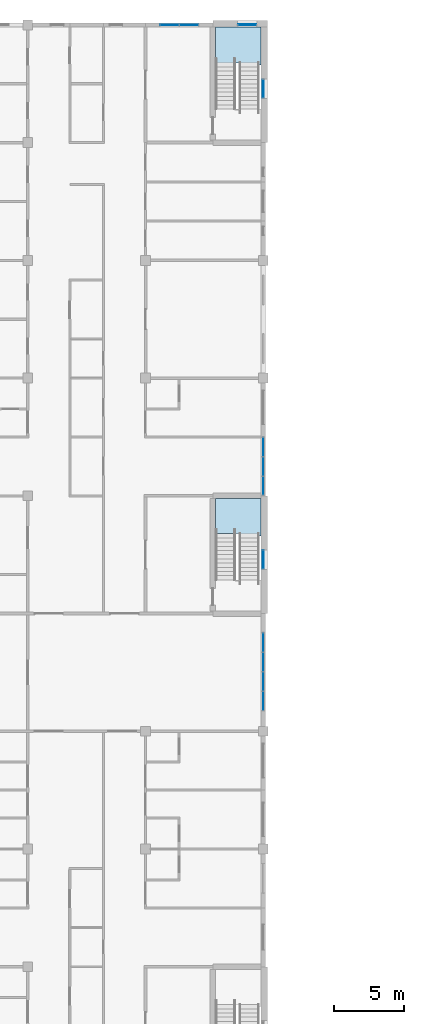
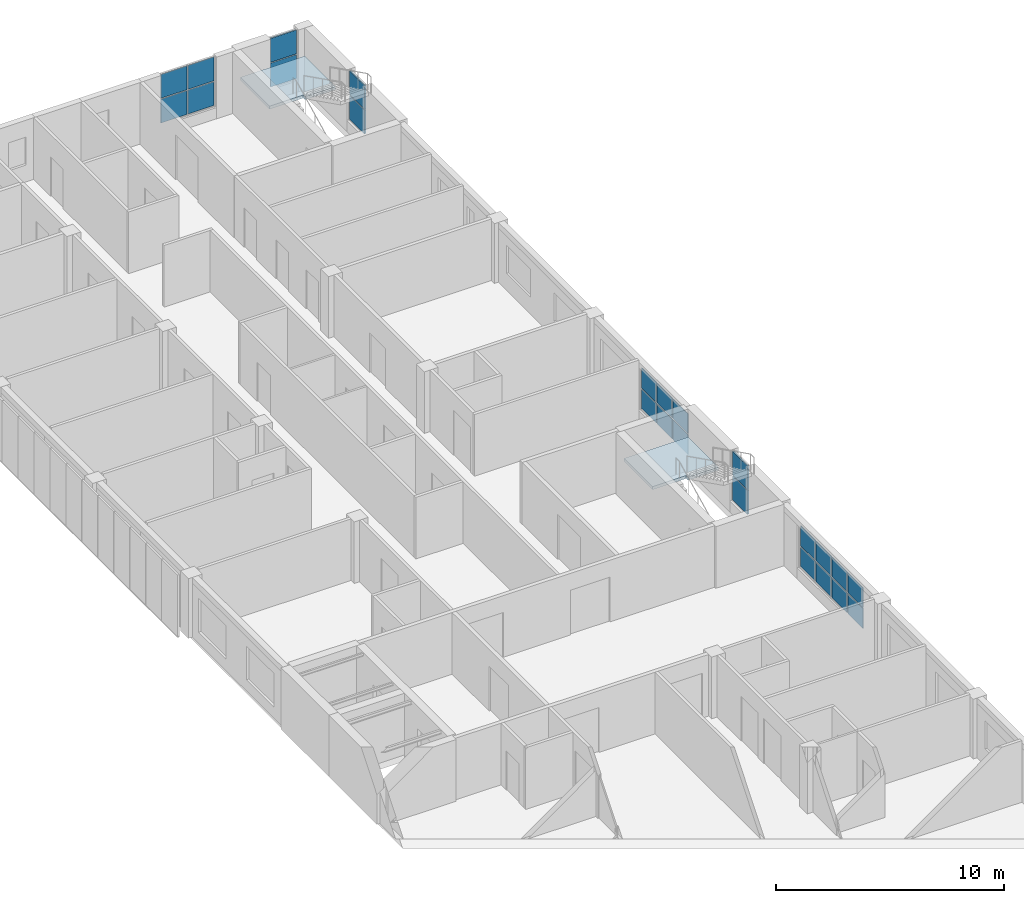
# One storey, part 24 of 48: 24 plates, 2 slabs, 8 elements without a shape of their own.
"""IFC4 building model written with IfcOpenShell, lengths in metres."""

import ifcopenshell
import ifcopenshell.guid

model = None  # the IFC model being written
_history = None  # IfcOwnerHistory: only IFC2X3 demands one
_inside = {}  # id of a spatial element -> (the spatial element, [elements in it])
_under = {}  # id of a project, library or spatial element -> (it, [spatial elements below it])
_declared = {}  # id of a project -> (the project, [libraries it declares])
_typed = {}  # id of a type object -> (the type object, [elements of that type])
_made_of = {}  # id of a material, layer set ... -> (it, [elements and type objects made of it])


def new_model(schema):
    """Start an empty IFC model of exactly this schema.

    Asked for "IFC4X3", IfcOpenShell would pick the latest addendum, in which some entities
    have other attributes; the version numbers below select the first issue.
    IFC2X3 requires an IfcOwnerHistory on every rooted entity: one is made here for all.
    """
    global model, _history
    if schema == "IFC4X3":
        model = ifcopenshell.file(schema_version=(4, 3, 0, 0))
    else:
        model = ifcopenshell.file(schema=schema)
    _inside.clear()
    _under.clear()
    _declared.clear()
    _typed.clear()
    _made_of.clear()
    _history = None
    if model.schema == "IFC2X3":
        org = make("IfcOrganization", Name="unknown")
        user = make(
            "IfcPersonAndOrganization",
            ThePerson=make("IfcPerson", FamilyName="unknown"),
            TheOrganization=org,
        )
        app = make(
            "IfcApplication",
            ApplicationDeveloper=org,
            Version="unknown",
            ApplicationFullName="unknown",
            ApplicationIdentifier="unknown",
        )
        _history = make(
            "IfcOwnerHistory",
            OwningUser=user,
            OwningApplication=app,
            ChangeAction="ADDED",
            CreationDate=0,
        )
    return model


def make(cls, **values):
    """One entity of the class cls with the attributes given. An attribute that is None is left unset."""
    return model.create_entity(
        cls, **{name: value for name, value in values.items() if value is not None}
    )


def rooted(cls, **values):
    """An entity with a GlobalId (a new one), such as an element, a storey or a relation."""
    return make(cls, GlobalId=ifcopenshell.guid.new(), OwnerHistory=_history, **values)


def si_unit(unit_type, name, prefix=None):
    """IfcSIUnit, for example si_unit("LENGTHUNIT", "METRE", prefix="MILLI")."""
    return make("IfcSIUnit", UnitType=unit_type, Prefix=prefix, Name=name)


def assignment(units):
    """IfcUnitAssignment: the units of a project."""
    return None if units is None else make("IfcUnitAssignment", Units=units)


def point(xyz):
    """IfcCartesianPoint."""
    return None if xyz is None else make("IfcCartesianPoint", Coordinates=xyz)


def direction(xyz):
    """IfcDirection."""
    return None if xyz is None else make("IfcDirection", DirectionRatios=xyz)


def frame(location, z_axis=None, x_axis=None):
    """IfcAxis2Placement3D, a coordinate frame: its origin and axes. An axis left out is left unset."""
    return make(
        "IfcAxis2Placement3D",
        Location=point(location),
        Axis=direction(z_axis),
        RefDirection=direction(x_axis),
    )


def frame_2d(location, x_axis=None):
    """IfcAxis2Placement2D, a coordinate frame in the plane: its origin and x axis."""
    return make(
        "IfcAxis2Placement2D", Location=point(location), RefDirection=direction(x_axis)
    )


def origin():
    """The frame at (0, 0, 0) with its axes left unset."""
    return frame((0.0, 0.0, 0.0))


def origin_2d():
    """The frame at (0, 0) in the plane with its x axis left unset."""
    return frame_2d((0.0, 0.0))


def place(relative_to, where):
    """IfcLocalPlacement: puts the frame where relative to a parent placement (None: the world)."""
    return make(
        "IfcLocalPlacement", PlacementRelTo=relative_to, RelativePlacement=where
    )


def context(
    kind, dimensions, precision=None, world=None, true_north=None, identifier=None
):
    """IfcGeometricRepresentationContext, for example the 3D "Model" context."""
    return make(
        "IfcGeometricRepresentationContext",
        ContextIdentifier=identifier,
        ContextType=kind,
        CoordinateSpaceDimension=dimensions,
        Precision=precision,
        WorldCoordinateSystem=world,
        TrueNorth=true_north,
    )


def subcontext(parent, identifier, kind, view, scale=None):
    """IfcGeometricRepresentationSubContext, for example "Body" below "Model"."""
    return make(
        "IfcGeometricRepresentationSubContext",
        ContextIdentifier=identifier,
        ContextType=kind,
        ParentContext=parent,
        TargetScale=scale,
        TargetView=view,
    )


def project(units=None, contexts=None):
    """IfcProject with its units and contexts."""
    return rooted(
        "IfcProject",
        Name="project",
        RepresentationContexts=contexts,
        UnitsInContext=assignment(units),
    )


def spatial(cls, under=None, at=None, **own):
    """A site, building, storey or space (cls), placed at a placement, below another one or the project."""
    s = rooted(cls, ObjectPlacement=at, **own)
    if under is not None:
        _under.setdefault(under.id(), (under, []))[1].append(s)
    return s


def polyline(points):
    """IfcPolyline through the points."""
    return make("IfcPolyline", Points=[point(p) for p in points])


def profile(cls, at=None, kind="AREA", **sizes):
    """A parametric profile (cls). Its sizes go by their IFC names, for example OverallWidth=200.0."""
    return make(cls, ProfileType=kind, Position=at, **sizes)


def rectangle(**sizes):
    """IfcRectangleProfileDef."""
    return profile("IfcRectangleProfileDef", **sizes)


def outline(outer, holes=None, kind="AREA"):
    """IfcArbitraryClosedProfileDef: a profile drawn as a closed curve; with holes, ...WithVoids."""
    if holes is None:
        return make("IfcArbitraryClosedProfileDef", ProfileType=kind, OuterCurve=outer)
    return make(
        "IfcArbitraryProfileDefWithVoids",
        ProfileType=kind,
        OuterCurve=outer,
        InnerCurves=holes,
    )


def extrude(swept, where, along, depth):
    """IfcExtrudedAreaSolid: the profile swept, set in the frame where, extruded along a direction by depth."""
    return make(
        "IfcExtrudedAreaSolid",
        SweptArea=swept,
        Position=where,
        ExtrudedDirection=direction(along),
        Depth=depth,
    )


def shape(context_of_items, identifier, shape_type, items):
    """IfcShapeRepresentation: the items that make up one representation, for example the "Body"."""
    return make(
        "IfcShapeRepresentation",
        ContextOfItems=context_of_items,
        RepresentationIdentifier=identifier,
        RepresentationType=shape_type,
        Items=items,
    )


def material(Name=None, Category=None):
    """IfcMaterial."""
    return make("IfcMaterial", Name=Name, Category=Category)


def layer(
    of_material, thickness, ventilated=None, Name=None, Category=None, Priority=None
):
    """IfcMaterialLayer: one layer of a wall or slab, of a material (None: an air gap)."""
    return make(
        "IfcMaterialLayer",
        Material=of_material,
        LayerThickness=thickness,
        IsVentilated=ventilated,
        Name=Name,
        Category=Category,
        Priority=Priority,
    )


def layer_set(layers, Name=None):
    """IfcMaterialLayerSet."""
    return make("IfcMaterialLayerSet", MaterialLayers=layers, LayerSetName=Name)


def made_of(thing, what):
    """Note that an element or type object is made of a material, layer set ...; save() writes the relation."""
    if what is not None:
        _made_of.setdefault(what.id(), (what, []))[1].append(thing)
    return thing


def type_object(cls, material=None, **own):
    """A type object (cls), such as IfcWallType, which elements share."""
    return made_of(rooted(cls, **own), material)


def element(
    cls,
    number,
    at=None,
    inside=None,
    cuts=None,
    type_object=None,
    material=None,
    context=None,
    identifier="Body",
    shape_type=None,
    held_by="IfcProductDefinitionShape",
    body=None,
    shapes=None,
    **own,
):
    """One element of the class cls, such as IfcWall. Its Tag is "e" and its number.

    at: its placement. inside: the storey or other place that contains it. cuts: it is an
    opening in that element (IfcRelVoidsElement). A single representation is given by context,
    identifier, shape_type and body (its items); several are given by shapes. held_by: the class
    of the entity that holds the representations. save() writes the other relations.
    """
    e = rooted(cls, Tag="e%d" % number, ObjectPlacement=at, **own)
    if body is not None:
        shapes = [shape(context, identifier, shape_type, body)]
    if shapes is not None:
        e.Representation = make(held_by, Representations=shapes)
    if inside is not None:
        _inside.setdefault(inside.id(), (inside, []))[1].append(e)
    if cuts is not None:
        rooted(
            "IfcRelVoidsElement", RelatingBuildingElement=cuts, RelatedOpeningElement=e
        )
    if type_object is not None:
        _typed.setdefault(type_object.id(), (type_object, []))[1].append(e)
    return made_of(e, material)


def aggregate(whole, parts):
    """IfcRelAggregates: a whole, such as a stair, and the parts it consists of."""
    return rooted("IfcRelAggregates", RelatingObject=whole, RelatedObjects=parts)


def save(model, path):
    """Write the relations noted so far, then the file.

    IfcRelAggregates (storeys below a building ...), IfcRelContainedInSpatialStructure (elements
    in a storey), IfcRelDefinesByType, IfcRelAssociatesMaterial and IfcRelDeclares: one each for
    every whole, place, type object, material and project.
    """
    for whole, parts in _under.values():
        aggregate(whole, parts)
    for where, things in _inside.values():
        rooted(
            "IfcRelContainedInSpatialStructure",
            RelatedElements=things,
            RelatingStructure=where,
        )
    for kind, things in _typed.values():
        rooted("IfcRelDefinesByType", RelatedObjects=things, RelatingType=kind)
    for what, things in _made_of.values():
        rooted("IfcRelAssociatesMaterial", RelatedObjects=things, RelatingMaterial=what)
    for by, libraries in _declared.values():
        rooted("IfcRelDeclares", RelatingContext=by, RelatedDefinitions=libraries)
    model.write(path)


model = new_model("IFC4")

# Units and contexts
model_context = context("Model", 3, precision=1e-05, world=origin(), true_north=direction((0.0, 1.0)))
body_context = subcontext(model_context, "Body", "Model", "MODEL_VIEW")
ifc_project = project(units=[si_unit("LENGTHUNIT", "METRE"), si_unit("AREAUNIT", "SQUARE_METRE"), si_unit("VOLUMEUNIT", "CUBIC_METRE"), si_unit("PLANEANGLEUNIT", "RADIAN"), si_unit("MASSUNIT", "GRAM", prefix="KILO")], contexts=[model_context])

# Site, building, storey
site_placement = place(None, origin())
site = spatial("IfcSite", under=ifc_project, at=site_placement, CompositionType="ELEMENT")
building_placement = place(site_placement, origin())
building = spatial("IfcBuilding", under=site, at=building_placement, Name="Yavir Park General Hospital", CompositionType="ELEMENT")
storey_placement = place(building_placement, frame((0.0, 0.0, 26.10009765625)))
storey = spatial("IfcBuildingStorey", under=building, at=storey_placement, Name="L06", CompositionType="ELEMENT", Elevation=26.10009765625)

# Curtain wall, plates
ifc_material_1 = material(Name="Aluminium curtain wall frame with insulated glazing", Category="aluminium")
curtain_wall_type_1 = type_object("IfcCurtainWallType", Name="Day room pocket glazing, ward floors, 2300 high, 1400 module", PredefinedType="NOTDEFINED", material=ifc_material_1)
curtain_wall_1_placement = place(storey_placement, origin())
curtain_wall_1 = element("IfcCurtainWall", 1, at=curtain_wall_1_placement, inside=storey, type_object=curtain_wall_type_1, Name="CW63 L06-023", PredefinedType="NOTDEFINED")
ifc_material_2 = material(Name="Insulated glazed unit 30 mm, low-e coating")
ifc_layer_1 = layer(ifc_material_2, 0.030029296875)
ifc_layer_set_1 = layer_set([ifc_layer_1], Name="Insulated glazed unit 30 mm, low-e coating")
plate_type_1 = type_object("IfcPlateType", Name="Day room pocket glazing, ward floors, 2300 high panel 30", PredefinedType="CURTAIN_PANEL", material=ifc_layer_set_1)
plate_1_placement = place(storey_placement, frame((25.199951171875, 69.364990234375, 0.659912109375), z_axis=(0.0, 0.0, 1.0), x_axis=(0.0, 1.0, 0.0)))
plate_1 = element("IfcPlate", 2, at=plate_1_placement, type_object=plate_type_1, Name="CW63 panel 1.1", PredefinedType="CURTAIN_PANEL", context=body_context, shape_type="SweptSolid", body=[
    extrude(rectangle(XDim=1.31005859375, YDim=0.030029296875, at=origin_2d()), origin(), (0.0, 0.0, 1.0), 1.06005859375),
])
plate_2_placement = place(storey_placement, frame((25.199951171875, 69.364990234375, 1.77978515625), z_axis=(0.0, 0.0, 1.0), x_axis=(0.0, 1.0, 0.0)))
plate_2 = element("IfcPlate", 3, at=plate_2_placement, type_object=plate_type_1, Name="CW63 panel 1.2", PredefinedType="CURTAIN_PANEL", context=body_context, shape_type="SweptSolid", body=[
    extrude(rectangle(XDim=1.31005859375, YDim=0.030029296875, at=origin_2d()), origin(), (0.0, 0.0, 1.0), 1.06005859375),
])
plate_3_placement = place(storey_placement, frame((25.199951171875, 70.75, 0.659912109375), z_axis=(0.0, 0.0, 1.0), x_axis=(0.0, 1.0, 0.0)))
plate_3 = element("IfcPlate", 4, at=plate_3_placement, type_object=plate_type_1, Name="CW63 panel 2.1", PredefinedType="CURTAIN_PANEL", context=body_context, shape_type="SweptSolid", body=[
    extrude(rectangle(XDim=1.340087890625, YDim=0.030029296875, at=origin_2d()), origin(), (0.0, 0.0, 1.0), 1.06005859375),
])
plate_4_placement = place(storey_placement, frame((25.199951171875, 70.75, 1.77978515625), z_axis=(0.0, 0.0, 1.0), x_axis=(0.0, 1.0, 0.0)))
plate_4 = element("IfcPlate", 5, at=plate_4_placement, type_object=plate_type_1, Name="CW63 panel 2.2", PredefinedType="CURTAIN_PANEL", context=body_context, shape_type="SweptSolid", body=[
    extrude(rectangle(XDim=1.340087890625, YDim=0.030029296875, at=origin_2d()), origin(), (0.0, 0.0, 1.0), 1.06005859375),
])
plate_5_placement = place(storey_placement, frame((25.199951171875, 72.14990234375, 0.659912109375), z_axis=(0.0, 0.0, 1.0), x_axis=(0.0, 1.0, 0.0)))
plate_5 = element("IfcPlate", 6, at=plate_5_placement, type_object=plate_type_1, Name="CW63 panel 3.1", PredefinedType="CURTAIN_PANEL", context=body_context, shape_type="SweptSolid", body=[
    extrude(rectangle(XDim=1.340087890625, YDim=0.030029296875, at=origin_2d()), origin(), (0.0, 0.0, 1.0), 1.06005859375),
])
plate_6_placement = place(storey_placement, frame((25.199951171875, 72.14990234375, 1.77978515625), z_axis=(0.0, 0.0, 1.0), x_axis=(0.0, 1.0, 0.0)))
plate_6 = element("IfcPlate", 7, at=plate_6_placement, type_object=plate_type_1, Name="CW63 panel 3.2", PredefinedType="CURTAIN_PANEL", context=body_context, shape_type="SweptSolid", body=[
    extrude(rectangle(XDim=1.340087890625, YDim=0.030029296875, at=origin_2d()), origin(), (0.0, 0.0, 1.0), 1.06005859375),
])
plate_7_placement = place(storey_placement, frame((25.199951171875, 73.534912109375, 0.659912109375), z_axis=(0.0, 0.0, 1.0), x_axis=(0.0, 1.0, 0.0)))
plate_7 = element("IfcPlate", 8, at=plate_7_placement, type_object=plate_type_1, Name="CW63 panel 4.1", PredefinedType="CURTAIN_PANEL", context=body_context, shape_type="SweptSolid", body=[
    extrude(rectangle(XDim=1.31005859375, YDim=0.030029296875, at=origin_2d()), origin(), (0.0, 0.0, 1.0), 1.06005859375),
])
plate_8_placement = place(storey_placement, frame((25.199951171875, 73.534912109375, 1.77978515625), z_axis=(0.0, 0.0, 1.0), x_axis=(0.0, 1.0, 0.0)))
plate_8 = element("IfcPlate", 9, at=plate_8_placement, type_object=plate_type_1, Name="CW63 panel 4.2", PredefinedType="CURTAIN_PANEL", context=body_context, shape_type="SweptSolid", body=[
    extrude(rectangle(XDim=1.31005859375, YDim=0.030029296875, at=origin_2d()), origin(), (0.0, 0.0, 1.0), 1.06005859375),
])
aggregate(curtain_wall_1, [plate_1, plate_2, plate_3, plate_4, plate_5, plate_6, plate_7, plate_8])

curtain_wall_2_placement = place(storey_placement, origin())
curtain_wall_2 = element("IfcCurtainWall", 10, at=curtain_wall_2_placement, inside=storey, type_object=curtain_wall_type_1, Name="CW63 L06-025", PredefinedType="NOTDEFINED")
plate_9_placement = place(storey_placement, frame((25.199951171875, 84.715087890625, 0.659912109375), z_axis=(0.0, 0.0, 1.0), x_axis=(0.0, 1.0, 0.0)))
plate_9 = element("IfcPlate", 11, at=plate_9_placement, type_object=plate_type_1, Name="CW63 panel 1.1", PredefinedType="CURTAIN_PANEL", context=body_context, shape_type="SweptSolid", body=[
    extrude(rectangle(XDim=1.31005859375, YDim=0.030029296875, at=origin_2d()), origin(), (0.0, 0.0, 1.0), 1.06005859375),
])
plate_10_placement = place(storey_placement, frame((25.199951171875, 84.715087890625, 1.77978515625), z_axis=(0.0, 0.0, 1.0), x_axis=(0.0, 1.0, 0.0)))
plate_10 = element("IfcPlate", 12, at=plate_10_placement, type_object=plate_type_1, Name="CW63 panel 1.2", PredefinedType="CURTAIN_PANEL", context=body_context, shape_type="SweptSolid", body=[
    extrude(rectangle(XDim=1.31005859375, YDim=0.030029296875, at=origin_2d()), origin(), (0.0, 0.0, 1.0), 1.06005859375),
])
plate_11_placement = place(storey_placement, frame((25.199951171875, 86.10009765625, 0.659912109375), z_axis=(0.0, 0.0, 1.0), x_axis=(0.0, 1.0, 0.0)))
plate_11 = element("IfcPlate", 13, at=plate_11_placement, type_object=plate_type_1, Name="CW63 panel 2.1", PredefinedType="CURTAIN_PANEL", context=body_context, shape_type="SweptSolid", body=[
    extrude(rectangle(XDim=1.340087890625, YDim=0.030029296875, at=origin_2d()), origin(), (0.0, 0.0, 1.0), 1.06005859375),
])
plate_12_placement = place(storey_placement, frame((25.199951171875, 86.10009765625, 1.77978515625), z_axis=(0.0, 0.0, 1.0), x_axis=(0.0, 1.0, 0.0)))
plate_12 = element("IfcPlate", 14, at=plate_12_placement, type_object=plate_type_1, Name="CW63 panel 2.2", PredefinedType="CURTAIN_PANEL", context=body_context, shape_type="SweptSolid", body=[
    extrude(rectangle(XDim=1.340087890625, YDim=0.030029296875, at=origin_2d()), origin(), (0.0, 0.0, 1.0), 1.06005859375),
])
plate_13_placement = place(storey_placement, frame((25.199951171875, 87.485107421875, 0.659912109375), z_axis=(0.0, 0.0, 1.0), x_axis=(0.0, 1.0, 0.0)))
plate_13 = element("IfcPlate", 15, at=plate_13_placement, type_object=plate_type_1, Name="CW63 panel 3.1", PredefinedType="CURTAIN_PANEL", context=body_context, shape_type="SweptSolid", body=[
    extrude(rectangle(XDim=1.31005859375, YDim=0.030029296875, at=origin_2d()), origin(), (0.0, 0.0, 1.0), 1.06005859375),
])
plate_14_placement = place(storey_placement, frame((25.199951171875, 87.485107421875, 1.77978515625), z_axis=(0.0, 0.0, 1.0), x_axis=(0.0, 1.0, 0.0)))
plate_14 = element("IfcPlate", 16, at=plate_14_placement, type_object=plate_type_1, Name="CW63 panel 3.2", PredefinedType="CURTAIN_PANEL", context=body_context, shape_type="SweptSolid", body=[
    extrude(rectangle(XDim=1.31005859375, YDim=0.030029296875, at=origin_2d()), origin(), (0.0, 0.0, 1.0), 1.06005859375),
])
aggregate(curtain_wall_2, [plate_9, plate_10, plate_11, plate_12, plate_13, plate_14])

# Stair, slab
ifc_material_3 = material(Name="Concrete C30/37", Category="concrete")
stair_type = type_object("IfcStairType", Name="Patient escape stair, 24 risers of 150 mm, 1400 mm flights", PredefinedType="HALF_TURN_STAIR", material=ifc_material_3)
stair_1_placement = place(storey_placement, origin())
stair_1 = element("IfcStair", 17, at=stair_1_placement, inside=storey, type_object=stair_type, Name="Stair SW2, L06 to RF", PredefinedType="HALF_TURN_STAIR")
ifc_material_4 = material(Name="Concrete C30/37", Category="concrete")
ifc_layer_2 = layer(ifc_material_4, 0.159912109375)
ifc_layer_set_2 = layer_set([ifc_layer_2], Name="Concrete C30/37")
slab_type = type_object("IfcSlabType", Name="Patient escape stair half landing, reinforced concrete 160 mm", PredefinedType="LANDING", material=ifc_layer_set_2)
slab_1_placement = place(storey_placement, frame((0.0, 0.0, 1.639892578125)))
slab_1 = element("IfcSlab", 18, at=slab_1_placement, type_object=slab_type, Name="SW2 landing 1", PredefinedType="LANDING", context=body_context, shape_type="SweptSolid", body=[
    extrude(outline(polyline([(21.800048828125, 81.298583984375), (21.800048828125, 83.800048828125), (25.050048828125, 83.800048828125), (25.050048828125, 81.14990234375), (23.5, 81.14990234375), (23.5, 81.298583984375), (21.800048828125, 81.298583984375)])), origin(), (0.0, 0.0, 1.0), 0.159912109375),
])
aggregate(stair_1, [slab_1])

stair_2_placement = place(storey_placement, origin())
stair_2 = element("IfcStair", 19, at=stair_2_placement, inside=storey, type_object=stair_type, Name="Stair SW3, L06 to RF", PredefinedType="HALF_TURN_STAIR")
slab_2_placement = place(storey_placement, frame((0.0, 0.0, 1.639892578125)))
slab_2 = element("IfcSlab", 20, at=slab_2_placement, type_object=slab_type, Name="SW3 landing 1", PredefinedType="LANDING", context=body_context, shape_type="SweptSolid", body=[
    extrude(outline(polyline([(21.800048828125, 114.8984375), (21.800048828125, 117.449951171875), (25.050048828125, 117.449951171875), (25.050048828125, 114.75), (23.5, 114.75), (23.5, 114.8984375), (21.800048828125, 114.8984375)])), origin(), (0.0, 0.0, 1.0), 0.159912109375),
])
aggregate(stair_2, [slab_2])

# Curtain wall, plates
ifc_material_5 = material(Name="Aluminium curtain wall frame with insulated glazing", Category="aluminium")
curtain_wall_type_2 = type_object("IfcCurtainWallType", Name="Stair light slot, ward floors, 2700 high, 1400 module", PredefinedType="NOTDEFINED", material=ifc_material_5)
curtain_wall_3_placement = place(storey_placement, origin())
curtain_wall_3 = element("IfcCurtainWall", 21, at=curtain_wall_3_placement, inside=storey, type_object=curtain_wall_type_2, Name="CW64 L06-017", PredefinedType="NOTDEFINED")
ifc_material_6 = material(Name="Fire-resisting glazed unit 70 mm")
ifc_layer_3 = layer(ifc_material_6, 0.070068359375)
ifc_layer_set_3 = layer_set([ifc_layer_3], Name="Fire-resisting glazed unit 70 mm")
plate_type_2 = type_object("IfcPlateType", Name="Stair light slot, ward floors, 2700 high panel 70", PredefinedType="CURTAIN_PANEL", material=ifc_layer_set_3)
plate_15_placement = place(storey_placement, frame((24.050048828125, 117.60009765625, 0.64990234375), z_axis=(0.0, 0.0, 1.0), x_axis=(1.0, 0.0, 0.0)))
plate_15 = element("IfcPlate", 22, at=plate_15_placement, type_object=plate_type_2, Name="CW64 panel 1.1", PredefinedType="CURTAIN_PANEL", context=body_context, shape_type="SweptSolid", body=[
    extrude(rectangle(XDim=1.300048828125, YDim=0.070068359375, at=origin_2d()), origin(), (0.0, 0.0, 1.0), 1.27490234375),
])
plate_16_placement = place(storey_placement, frame((24.050048828125, 117.60009765625, 1.974853515625), z_axis=(0.0, 0.0, 1.0), x_axis=(1.0, 0.0, 0.0)))
plate_16 = element("IfcPlate", 23, at=plate_16_placement, type_object=plate_type_2, Name="CW64 panel 1.2", PredefinedType="CURTAIN_PANEL", context=body_context, shape_type="SweptSolid", body=[
    extrude(rectangle(XDim=1.300048828125, YDim=0.070068359375, at=origin_2d()), origin(), (0.0, 0.0, 1.0), 1.27490234375),
])
aggregate(curtain_wall_3, [plate_15, plate_16])

curtain_wall_4_placement = place(storey_placement, origin())
curtain_wall_4 = element("IfcCurtainWall", 24, at=curtain_wall_4_placement, inside=storey, type_object=curtain_wall_type_2, Name="CW64 L06-024", PredefinedType="NOTDEFINED")
plate_17_placement = place(storey_placement, frame((25.199951171875, 79.449951171875, 0.64990234375), z_axis=(0.0, 0.0, 1.0), x_axis=(0.0, 1.0, 0.0)))
plate_17 = element("IfcPlate", 25, at=plate_17_placement, type_object=plate_type_2, Name="CW64 panel 1.1", PredefinedType="CURTAIN_PANEL", context=body_context, shape_type="SweptSolid", body=[
    extrude(rectangle(XDim=1.300048828125, YDim=0.070068359375, at=origin_2d()), origin(), (0.0, 0.0, 1.0), 1.27490234375),
])
plate_18_placement = place(storey_placement, frame((25.199951171875, 79.449951171875, 1.974853515625), z_axis=(0.0, 0.0, 1.0), x_axis=(0.0, 1.0, 0.0)))
plate_18 = element("IfcPlate", 26, at=plate_18_placement, type_object=plate_type_2, Name="CW64 panel 1.2", PredefinedType="CURTAIN_PANEL", context=body_context, shape_type="SweptSolid", body=[
    extrude(rectangle(XDim=1.300048828125, YDim=0.070068359375, at=origin_2d()), origin(), (0.0, 0.0, 1.0), 1.27490234375),
])
aggregate(curtain_wall_4, [plate_17, plate_18])

curtain_wall_5_placement = place(storey_placement, origin())
curtain_wall_5 = element("IfcCurtainWall", 27, at=curtain_wall_5_placement, inside=storey, type_object=curtain_wall_type_2, Name="CW64 L06-026", PredefinedType="NOTDEFINED")
plate_19_placement = place(storey_placement, frame((25.199951171875, 113.050048828125, 0.64990234375), z_axis=(0.0, 0.0, 1.0), x_axis=(0.0, 1.0, 0.0)))
plate_19 = element("IfcPlate", 28, at=plate_19_placement, type_object=plate_type_2, Name="CW64 panel 1.1", PredefinedType="CURTAIN_PANEL", context=body_context, shape_type="SweptSolid", body=[
    extrude(rectangle(XDim=1.300048828125, YDim=0.070068359375, at=origin_2d()), origin(), (0.0, 0.0, 1.0), 1.27490234375),
])
plate_20_placement = place(storey_placement, frame((25.199951171875, 113.050048828125, 1.974853515625), z_axis=(0.0, 0.0, 1.0), x_axis=(0.0, 1.0, 0.0)))
plate_20 = element("IfcPlate", 29, at=plate_20_placement, type_object=plate_type_2, Name="CW64 panel 1.2", PredefinedType="CURTAIN_PANEL", context=body_context, shape_type="SweptSolid", body=[
    extrude(rectangle(XDim=1.300048828125, YDim=0.070068359375, at=origin_2d()), origin(), (0.0, 0.0, 1.0), 1.27490234375),
])
aggregate(curtain_wall_5, [plate_19, plate_20])

ifc_material_7 = material(Name="Aluminium curtain wall frame with insulated glazing", Category="aluminium")
curtain_wall_type_3 = type_object("IfcCurtainWallType", Name="Ward corridor end glazing, 2700 high, 1400 module", PredefinedType="NOTDEFINED", material=ifc_material_7)
curtain_wall_6_placement = place(storey_placement, origin())
curtain_wall_6 = element("IfcCurtainWall", 30, at=curtain_wall_6_placement, inside=storey, type_object=curtain_wall_type_3, Name="CW66 L06-016", PredefinedType="NOTDEFINED")
ifc_material_8 = material(Name="Insulated glazed unit 30 mm, low-e coating")
ifc_layer_4 = layer(ifc_material_8, 0.030029296875)
ifc_layer_set_4 = layer_set([ifc_layer_4], Name="Insulated glazed unit 30 mm, low-e coating")
plate_type_3 = type_object("IfcPlateType", Name="Ward corridor end glazing, 2700 high panel 30", PredefinedType="CURTAIN_PANEL", material=ifc_layer_set_4)
plate_21_placement = place(storey_placement, frame((18.512451171875, 117.60009765625, 0.64990234375), z_axis=(0.0, 0.0, 1.0), x_axis=(1.0, 0.0, 0.0)))
plate_21 = element("IfcPlate", 31, at=plate_21_placement, type_object=plate_type_3, Name="CW66 panel 1.1", PredefinedType="CURTAIN_PANEL", context=body_context, shape_type="SweptSolid", body=[
    extrude(rectangle(XDim=1.324951171875, YDim=0.030029296875, at=origin_2d()), origin(), (0.0, 0.0, 1.0), 1.27490234375),
])
plate_22_placement = place(storey_placement, frame((18.512451171875, 117.60009765625, 1.974853515625), z_axis=(0.0, 0.0, 1.0), x_axis=(1.0, 0.0, 0.0)))
plate_22 = element("IfcPlate", 32, at=plate_22_placement, type_object=plate_type_3, Name="CW66 panel 1.2", PredefinedType="CURTAIN_PANEL", context=body_context, shape_type="SweptSolid", body=[
    extrude(rectangle(XDim=1.324951171875, YDim=0.030029296875, at=origin_2d()), origin(), (0.0, 0.0, 1.0), 1.27490234375),
])
plate_23_placement = place(storey_placement, frame((19.887451171875, 117.60009765625, 0.64990234375), z_axis=(0.0, 0.0, 1.0), x_axis=(1.0, 0.0, 0.0)))
plate_23 = element("IfcPlate", 33, at=plate_23_placement, type_object=plate_type_3, Name="CW66 panel 2.1", PredefinedType="CURTAIN_PANEL", context=body_context, shape_type="SweptSolid", body=[
    extrude(rectangle(XDim=1.324951171875, YDim=0.030029296875, at=origin_2d()), origin(), (0.0, 0.0, 1.0), 1.27490234375),
])
plate_24_placement = place(storey_placement, frame((19.887451171875, 117.60009765625, 1.974853515625), z_axis=(0.0, 0.0, 1.0), x_axis=(1.0, 0.0, 0.0)))
plate_24 = element("IfcPlate", 34, at=plate_24_placement, type_object=plate_type_3, Name="CW66 panel 2.2", PredefinedType="CURTAIN_PANEL", context=body_context, shape_type="SweptSolid", body=[
    extrude(rectangle(XDim=1.324951171875, YDim=0.030029296875, at=origin_2d()), origin(), (0.0, 0.0, 1.0), 1.27490234375),
])
aggregate(curtain_wall_6, [plate_21, plate_22, plate_23, plate_24])

save(model, "model.ifc")
